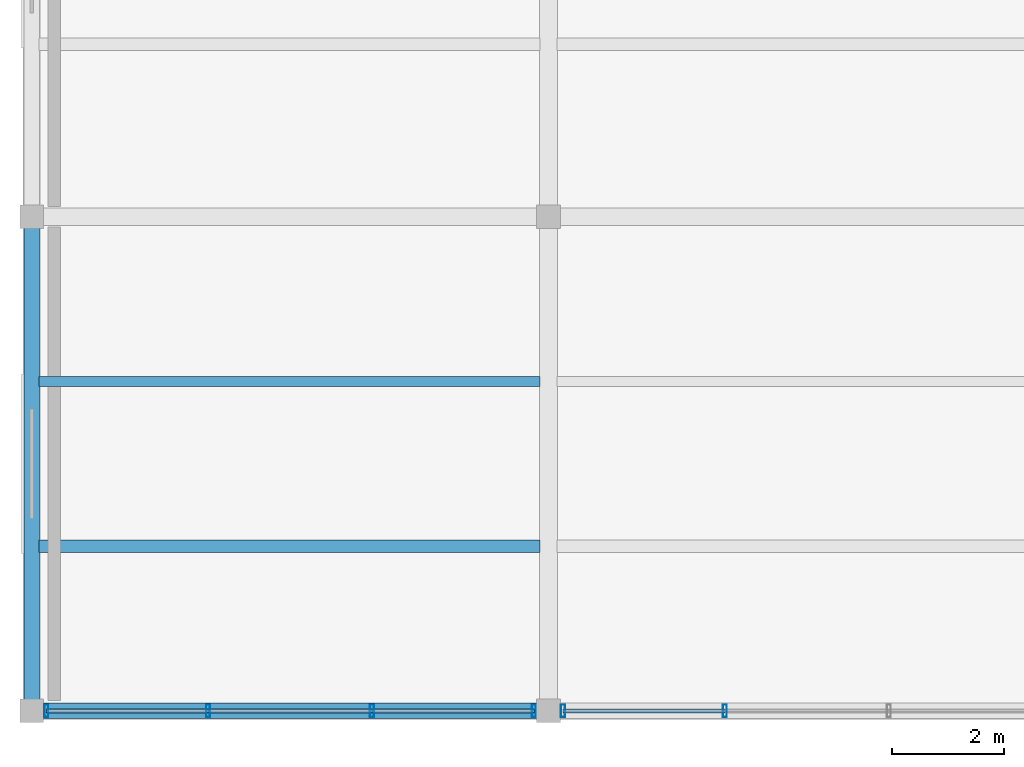
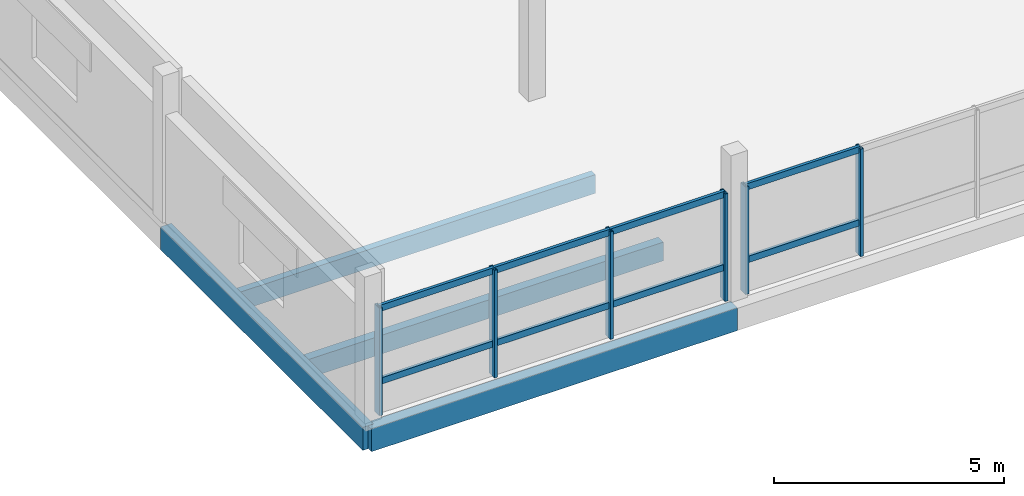
# One storey, part 5 of 47: 14 members, 4 beams, 2 elements without a shape of their own.
"""IFC4 building model written with IfcOpenShell, lengths in metres."""

from ifc_helpers import new_model, si_unit, direction, frame, origin, origin_2d, place, context, subcontext, project, spatial, rectangle, hollow_rectangle, extrude, material, layer, layer_set, material_profile, profile_set, type_object, element, aggregate, save


model = new_model("IFC4")

# Units and contexts
model_context = context("Model", 3, precision=1e-05, world=origin(), true_north=direction((0.0, 1.0)))
body_context = subcontext(model_context, "Body", "Model", "MODEL_VIEW")
ifc_project = project(units=[si_unit("LENGTHUNIT", "METRE"), si_unit("AREAUNIT", "SQUARE_METRE"), si_unit("VOLUMEUNIT", "CUBIC_METRE"), si_unit("PLANEANGLEUNIT", "RADIAN"), si_unit("MASSUNIT", "GRAM", prefix="KILO")], contexts=[model_context])

# Site, building, storey
site_placement = place(None, origin())
site = spatial("IfcSite", under=ifc_project, at=site_placement, CompositionType="ELEMENT")
building_placement = place(site_placement, origin())
building = spatial("IfcBuilding", under=site, at=building_placement, Name="Meriwether Solvik Hall", CompositionType="ELEMENT")
storey_placement = place(building_placement, frame((0.0, 0.0, 18.300048828125)))
storey = spatial("IfcBuildingStorey", under=building, at=storey_placement, Name="L04", CompositionType="ELEMENT", Elevation=18.300048828125)

# Beams
ifc_material_1 = material(Name="Glulam Douglas-Fir 24F-V8 GL28h", Category="wood")
ifc_material_profile_1 = material_profile(ifc_material_1, rectangle(XDim=0.27294921875, YDim=0.610107421875, at=origin_2d()), Name="GLB-273X610")
ifc_profile_set_1 = profile_set([ifc_material_profile_1], Name="Glulam Douglas-Fir 24F-V8 GL28h")
beam_type_1 = type_object("IfcBeamType", Name="BM-GL-273X610", PredefinedType="SPANDREL", material=ifc_profile_set_1)
beam_1_placement = place(storey_placement, frame((59.39990234375, 5.199951171875, -0.550048828125), z_axis=(1.0, 0.0, 0.0), x_axis=(0.0, 1.0, 0.0)))
element("IfcBeam", 1, at=beam_1_placement, inside=storey, type_object=beam_type_1, Name="Podium Girder A:7-8 (L04)", PredefinedType="SPANDREL", context=body_context, shape_type="SweptSolid", body=[
    extrude(rectangle(XDim=0.27294921875, YDim=0.610107421875, at=origin_2d()), origin(), (0.0, 0.0, 1.0), 9.2001953125),
])
beam_2_placement = place(storey_placement, frame((59.39990234375, 5.199951171875, -0.550048828125), z_axis=(0.0, 1.0, 0.0), x_axis=(-1.0, 0.0, 0.0)))
element("IfcBeam", 2, at=beam_2_placement, inside=storey, type_object=beam_type_1, Name="Podium Girder 7:A-B (L04)", PredefinedType="SPANDREL", context=body_context, shape_type="SweptSolid", body=[
    extrude(rectangle(XDim=0.27294921875, YDim=0.610107421875, at=origin_2d()), origin(), (0.0, 0.0, 1.0), 8.800048828125),
])

# Curtain wall, members
ifc_material_2 = material(Name="Thermally Broken Anodised Aluminium 6063-T6 and Low-E Glass", Category="aluminium")
ifc_layer = layer(ifc_material_2, 0.179931640625)
ifc_layer_set = layer_set([ifc_layer], Name="Thermally Broken Anodised Aluminium 6063-T6 and Low-E Glass")
curtain_wall_type = type_object("IfcCurtainWallType", Name="CW-UNIT-E", PredefinedType="USERDEFINED", material=ifc_layer_set)
curtain_wall_1_placement = place(storey_placement, origin())
curtain_wall_1 = element("IfcCurtainWall", 3, at=curtain_wall_1_placement, inside=storey, type_object=curtain_wall_type, Name="Curtain Wall wing_XA_7_0 (L04)", ObjectType="UNITISED CURTAIN WALL", PredefinedType="USERDEFINED")
ifc_material_3 = material(Name="Anodised Aluminium 6063-T6", Category="aluminium")
ifc_material_profile_2 = material_profile(ifc_material_3, hollow_rectangle(XDim=0.074951171875, YDim=0.219970703125, WallThickness=0.005615234375, at=origin_2d()), Name="CWM-75X220")
ifc_profile_set_2 = profile_set([ifc_material_profile_2], Name="Anodised Aluminium 6063-T6")
member_type_1 = type_object("IfcMemberType", Name="CW-MUL-75X220", PredefinedType="MULLION", material=ifc_profile_set_2)
member_1_placement = place(storey_placement, frame((68.340087890625, 5.199951171875, 0.0), z_axis=(0.0, 0.0, 1.0), x_axis=(-1.0, 0.0, 0.0)))
member_1 = element("IfcMember", 4, at=member_1_placement, type_object=member_type_1, Name="Curtain Wall Mullion 1", PredefinedType="MULLION", context=body_context, shape_type="SweptSolid", body=[
    extrude(hollow_rectangle(XDim=0.074951171875, YDim=0.219970703125, WallThickness=0.005615234375, at=origin_2d()), origin(), (0.0, 0.0, 1.0), 2.85498046875),
])
member_2_placement = place(storey_placement, frame((65.459228515625, 5.199951171875, 0.0), z_axis=(0.0, 0.0, 1.0), x_axis=(-1.0, 0.0, 0.0)))
member_2 = element("IfcMember", 5, at=member_2_placement, type_object=member_type_1, Name="Curtain Wall Mullion 2", PredefinedType="MULLION", context=body_context, shape_type="SweptSolid", body=[
    extrude(hollow_rectangle(XDim=0.074951171875, YDim=0.219970703125, WallThickness=0.005615234375, at=origin_2d()), origin(), (0.0, 0.0, 1.0), 2.85498046875),
])
member_3_placement = place(storey_placement, frame((62.540771484375, 5.199951171875, 0.0), z_axis=(0.0, 0.0, 1.0), x_axis=(-1.0, 0.0, 0.0)))
member_3 = element("IfcMember", 6, at=member_3_placement, type_object=member_type_1, Name="Curtain Wall Mullion 3", PredefinedType="MULLION", context=body_context, shape_type="SweptSolid", body=[
    extrude(hollow_rectangle(XDim=0.074951171875, YDim=0.219970703125, WallThickness=0.005615234375, at=origin_2d()), origin(), (0.0, 0.0, 1.0), 2.85498046875),
])
member_4_placement = place(storey_placement, frame((59.659912109375, 5.199951171875, 0.0), z_axis=(0.0, 0.0, 1.0), x_axis=(-1.0, 0.0, 0.0)))
member_4 = element("IfcMember", 7, at=member_4_placement, type_object=member_type_1, Name="Curtain Wall Mullion 4", PredefinedType="MULLION", context=body_context, shape_type="SweptSolid", body=[
    extrude(hollow_rectangle(XDim=0.074951171875, YDim=0.219970703125, WallThickness=0.005615234375, at=origin_2d()), origin(), (0.0, 0.0, 1.0), 2.85498046875),
])

curtain_wall_2_placement = place(storey_placement, origin())
curtain_wall_2 = element("IfcCurtainWall", 8, at=curtain_wall_2_placement, inside=storey, type_object=curtain_wall_type, Name="Curtain Wall wing_XA_8_1 (L04)", ObjectType="UNITISED CURTAIN WALL", PredefinedType="USERDEFINED")
member_5_placement = place(storey_placement, frame((71.74072265625, 5.199951171875, 0.0), z_axis=(0.0, 0.0, 1.0), x_axis=(-1.0, 0.0, 0.0)))
member_5 = element("IfcMember", 9, at=member_5_placement, type_object=member_type_1, Name="Curtain Wall Mullion 3", PredefinedType="MULLION", context=body_context, shape_type="SweptSolid", body=[
    extrude(hollow_rectangle(XDim=0.074951171875, YDim=0.219970703125, WallThickness=0.005615234375, at=origin_2d()), origin(), (0.0, 0.0, 1.0), 2.85498046875),
])
member_6_placement = place(storey_placement, frame((68.860107421875, 5.199951171875, 0.0), z_axis=(0.0, 0.0, 1.0), x_axis=(-1.0, 0.0, 0.0)))
member_6 = element("IfcMember", 10, at=member_6_placement, type_object=member_type_1, Name="Curtain Wall Mullion 4", PredefinedType="MULLION", context=body_context, shape_type="SweptSolid", body=[
    extrude(hollow_rectangle(XDim=0.074951171875, YDim=0.219970703125, WallThickness=0.005615234375, at=origin_2d()), origin(), (0.0, 0.0, 1.0), 2.85498046875),
])

# Member
ifc_material_4 = material(Name="Anodised Aluminium 6063-T6", Category="aluminium")
ifc_material_profile_3 = material_profile(ifc_material_4, hollow_rectangle(XDim=0.074951171875, YDim=0.169921875, WallThickness=0.005615234375, at=origin_2d()), Name="CWT-75X170")
ifc_profile_set_3 = profile_set([ifc_material_profile_3], Name="Anodised Aluminium 6063-T6")
member_type_2 = type_object("IfcMemberType", Name="CW-TRN-75X170", PredefinedType="USERDEFINED", material=ifc_profile_set_3)
member_7_placement = place(storey_placement, frame((68.340087890625, 5.199951171875, 0.8564453125), z_axis=(-1.0, 0.0, 0.0), x_axis=(0.0, -1.0, 0.0)))
member_7 = element("IfcMember", 11, at=member_7_placement, type_object=member_type_2, Name="Curtain Wall Transom 1-sill", ObjectType="TRANSOM", PredefinedType="USERDEFINED", context=body_context, shape_type="SweptSolid", body=[
    extrude(hollow_rectangle(XDim=0.074951171875, YDim=0.169921875, WallThickness=0.005615234375, at=origin_2d()), origin(), (0.0, 0.0, 1.0), 2.880859375),
])

member_8_placement = place(storey_placement, frame((68.340087890625, 5.199951171875, 2.794921875), z_axis=(-1.0, 0.0, 0.0), x_axis=(0.0, -1.0, 0.0)))
member_8 = element("IfcMember", 12, at=member_8_placement, type_object=member_type_2, Name="Curtain Wall Transom 1-head", ObjectType="TRANSOM", PredefinedType="USERDEFINED", context=body_context, shape_type="SweptSolid", body=[
    extrude(hollow_rectangle(XDim=0.074951171875, YDim=0.169921875, WallThickness=0.005615234375, at=origin_2d()), origin(), (0.0, 0.0, 1.0), 2.880859375),
])

member_9_placement = place(storey_placement, frame((65.459228515625, 5.199951171875, 0.8564453125), z_axis=(-1.0, 0.0, 0.0), x_axis=(0.0, -1.0, 0.0)))
member_9 = element("IfcMember", 13, at=member_9_placement, type_object=member_type_2, Name="Curtain Wall Transom 2-sill", ObjectType="TRANSOM", PredefinedType="USERDEFINED", context=body_context, shape_type="SweptSolid", body=[
    extrude(hollow_rectangle(XDim=0.074951171875, YDim=0.169921875, WallThickness=0.005615234375, at=origin_2d()), origin(), (0.0, 0.0, 1.0), 2.91845703125),
])

member_10_placement = place(storey_placement, frame((65.459228515625, 5.199951171875, 2.794921875), z_axis=(-1.0, 0.0, 0.0), x_axis=(0.0, -1.0, 0.0)))
member_10 = element("IfcMember", 14, at=member_10_placement, type_object=member_type_2, Name="Curtain Wall Transom 2-head", ObjectType="TRANSOM", PredefinedType="USERDEFINED", context=body_context, shape_type="SweptSolid", body=[
    extrude(hollow_rectangle(XDim=0.074951171875, YDim=0.169921875, WallThickness=0.005615234375, at=origin_2d()), origin(), (0.0, 0.0, 1.0), 2.91845703125),
])

member_11_placement = place(storey_placement, frame((62.540771484375, 5.199951171875, 0.8564453125), z_axis=(-1.0, 0.0, 0.0), x_axis=(0.0, -1.0, 0.0)))
member_11 = element("IfcMember", 15, at=member_11_placement, type_object=member_type_2, Name="Curtain Wall Transom 3-sill", ObjectType="TRANSOM", PredefinedType="USERDEFINED", context=body_context, shape_type="SweptSolid", body=[
    extrude(hollow_rectangle(XDim=0.074951171875, YDim=0.169921875, WallThickness=0.005615234375, at=origin_2d()), origin(), (0.0, 0.0, 1.0), 2.880859375),
])

member_12_placement = place(storey_placement, frame((62.540771484375, 5.199951171875, 2.794921875), z_axis=(-1.0, 0.0, 0.0), x_axis=(0.0, -1.0, 0.0)))
member_12 = element("IfcMember", 16, at=member_12_placement, type_object=member_type_2, Name="Curtain Wall Transom 3-head", ObjectType="TRANSOM", PredefinedType="USERDEFINED", context=body_context, shape_type="SweptSolid", body=[
    extrude(hollow_rectangle(XDim=0.074951171875, YDim=0.169921875, WallThickness=0.005615234375, at=origin_2d()), origin(), (0.0, 0.0, 1.0), 2.880859375),
])

aggregate(curtain_wall_1, [member_1, member_2, member_3, member_4, member_7, member_8, member_9, member_10, member_11, member_12])

member_13_placement = place(storey_placement, frame((71.74072265625, 5.199951171875, 0.8564453125), z_axis=(-1.0, 0.0, 0.0), x_axis=(0.0, -1.0, 0.0)))
member_13 = element("IfcMember", 17, at=member_13_placement, type_object=member_type_2, Name="Curtain Wall Transom 3-sill", ObjectType="TRANSOM", PredefinedType="USERDEFINED", context=body_context, shape_type="SweptSolid", body=[
    extrude(hollow_rectangle(XDim=0.074951171875, YDim=0.169921875, WallThickness=0.005615234375, at=origin_2d()), origin(), (0.0, 0.0, 1.0), 2.880615234375),
])

member_14_placement = place(storey_placement, frame((71.74072265625, 5.199951171875, 2.794921875), z_axis=(-1.0, 0.0, 0.0), x_axis=(0.0, -1.0, 0.0)))
member_14 = element("IfcMember", 18, at=member_14_placement, type_object=member_type_2, Name="Curtain Wall Transom 3-head", ObjectType="TRANSOM", PredefinedType="USERDEFINED", context=body_context, shape_type="SweptSolid", body=[
    extrude(hollow_rectangle(XDim=0.074951171875, YDim=0.169921875, WallThickness=0.005615234375, at=origin_2d()), origin(), (0.0, 0.0, 1.0), 2.880615234375),
])

aggregate(curtain_wall_2, [member_5, member_6, member_13, member_14])

# Beams
ifc_material_5 = material(Name="Glulam Douglas-Fir 24F-V8 GL28h", Category="wood")
ifc_material_profile_4 = material_profile(ifc_material_5, rectangle(XDim=0.175048828125, YDim=0.4951171875, at=origin_2d()), Name="GLJ-175X495")
ifc_profile_set_4 = profile_set([ifc_material_profile_4], Name="Glulam Douglas-Fir 24F-V8 GL28h")
beam_type_2 = type_object("IfcBeamType", Name="JST-GL-175X495", PredefinedType="JOIST", material=ifc_profile_set_4)
beam_3_placement = place(storey_placement, frame((59.531494140625, 11.066650390625, -0.492431640625), z_axis=(1.0, 0.0, 0.0), x_axis=(0.0, 1.0, 0.0)))
element("IfcBeam", 19, at=beam_3_placement, inside=storey, type_object=beam_type_2, Name="Secondary Floor Joist 7/A_J2 (L04)", PredefinedType="JOIST", context=body_context, shape_type="SweptSolid", body=[
    extrude(rectangle(XDim=0.175048828125, YDim=0.4951171875, at=origin_2d()), origin(), (0.0, 0.0, 1.0), 8.916015625),
])
ifc_material_6 = material(Name="Glulam Douglas-Fir 24F-V8 GL28h", Category="wood")
ifc_material_profile_5 = material_profile(ifc_material_6, rectangle(XDim=0.221923828125, YDim=0.4951171875, at=origin_2d()), Name="GLJ-222X495")
ifc_profile_set_5 = profile_set([ifc_material_profile_5], Name="Glulam Douglas-Fir 24F-V8 GL28h")
beam_type_3 = type_object("IfcBeamType", Name="JST-GL-222X495", PredefinedType="JOIST", material=ifc_profile_set_5)
beam_4_placement = place(storey_placement, frame((59.531494140625, 8.13330078125, -0.492431640625), z_axis=(1.0, 0.0, 0.0), x_axis=(0.0, 1.0, 0.0)))
element("IfcBeam", 20, at=beam_4_placement, inside=storey, type_object=beam_type_3, Name="Secondary Floor Joist 7/A_J1 (L04)", PredefinedType="JOIST", context=body_context, shape_type="SweptSolid", body=[
    extrude(rectangle(XDim=0.221923828125, YDim=0.4951171875, at=origin_2d()), origin(), (0.0, 0.0, 1.0), 8.916015625),
])

save(model, "model.ifc")
